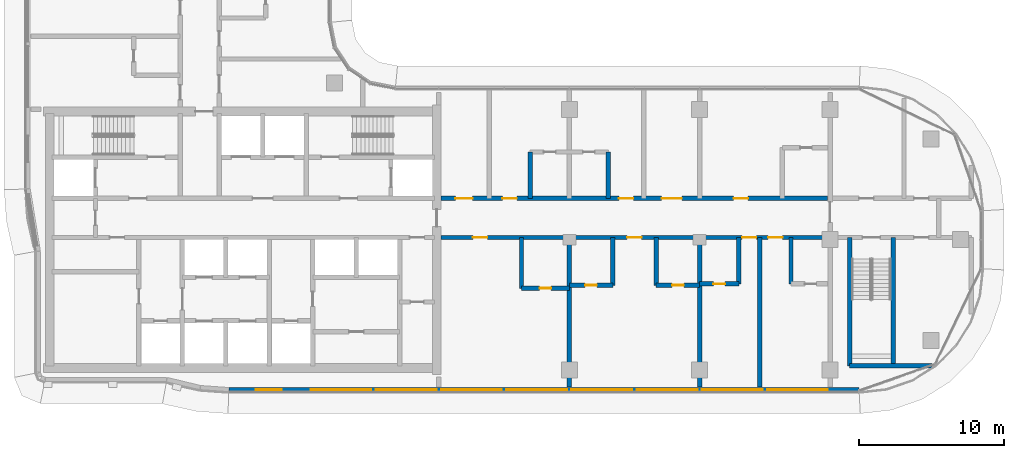
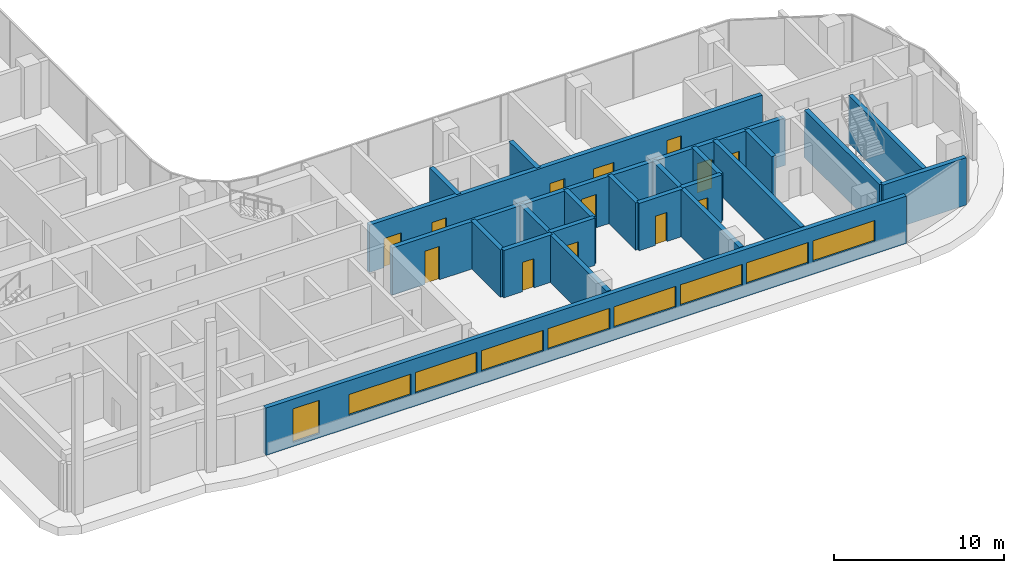
# One storey, part 11 of 24: 20 walls, 13 doors, 9 windows, 22 openings.
"""IFC4 building model written with IfcOpenShell, lengths in metres."""

from ifc_helpers import new_model, si_unit, direction, frame, frame_2d, origin, place, context, subcontext, project, spatial, rectangle, extrude, material, layer, layer_set, type_object, element, fill, save


model = new_model("IFC4")

# Units and contexts
model_context = context("Model", 3, precision=1e-05, world=origin(), true_north=direction((0.0, 1.0)))
body_context = subcontext(model_context, "Body", "Model", "MODEL_VIEW")
ifc_project = project(units=[si_unit("LENGTHUNIT", "METRE"), si_unit("AREAUNIT", "SQUARE_METRE"), si_unit("VOLUMEUNIT", "CUBIC_METRE"), si_unit("PLANEANGLEUNIT", "RADIAN"), si_unit("MASSUNIT", "GRAM", prefix="KILO")], contexts=[model_context])

# Site, building, storey
site_placement = place(None, origin())
site = spatial("IfcSite", under=ifc_project, at=site_placement, CompositionType="ELEMENT")
building_placement = place(site_placement, origin())
building = spatial("IfcBuilding", under=site, at=building_placement, Name="Ogive Portal Towers", CompositionType="ELEMENT")
storey_placement = place(building_placement, frame((0.0, 0.0, 142.199951171875)))
storey = spatial("IfcBuildingStorey", under=building, at=storey_placement, Name="L34", CompositionType="ELEMENT", Elevation=142.199951171875)

# Wall, openings, windows
ifc_material_1 = material(Name="Limestone cladding on lightweight block wall", Category="masonry")
ifc_layer_1 = layer(ifc_material_1, 0.300048828125)
ifc_layer_set_1 = layer_set([ifc_layer_1], Name="EXTERNAL WALL 300 STONE")
wall_type_1 = type_object("IfcWallType", Name="EXTERNAL WALL 300 STONE", PredefinedType="SOLIDWALL", material=ifc_layer_set_1)
wall_1_placement = place(storey_placement, frame((44.0107421875, 20.14990234375, 0.0), z_axis=(0.0, 0.0, 1.0), x_axis=(1.0, 0.0, 0.0)))
wall_1 = element("IfcWall", 1, at=wall_1_placement, inside=storey, type_object=wall_type_1, Name="A:L34:f06:r0:wall", PredefinedType="SOLIDWALL", context=body_context, shape_type="SweptSolid", body=[
    extrude(rectangle(XDim=43.4755859375, YDim=0.300048828125, at=frame_2d((21.73779296875, 0.0))), origin(), (0.0, 0.0, 1.0), 3.400146484375),
])
opening_1_placement = place(wall_1_placement, frame((1.8447265625, 0.0, 0.300048828125)))
opening_1 = element("IfcOpeningElement", 2, at=opening_1_placement, cuts=wall_1, Name="Opening WN10", PredefinedType="OPENING", context=body_context, shape_type="SweptSolid", body=[
    extrude(rectangle(XDim=1.800048828125, YDim=2.39990234375, at=frame_2d((0.89990234375, 1.199951171875))), frame((0.0, 0.16015625, 0.0), z_axis=(0.0, -1.0, 0.0), x_axis=(1.0, 0.0, 0.0)), (0.0, 0.0, 1.0), 0.320068359375),
])
opening_2_placement = place(wall_1_placement, frame((5.639404296875, 0.0, 0.89990234375)))
opening_2 = element("IfcOpeningElement", 3, at=opening_2_placement, cuts=wall_1, Name="Opening WN11", PredefinedType="OPENING", context=body_context, shape_type="SweptSolid", body=[
    extrude(rectangle(XDim=4.199951171875, YDim=1.5, at=frame_2d((2.10009765625, 0.75))), frame((0.0, 0.16015625, 0.0), z_axis=(0.0, -1.0, 0.0), x_axis=(1.0, 0.0, 0.0)), (0.0, 0.0, 1.0), 0.320068359375),
])
opening_3_placement = place(wall_1_placement, frame((10.139404296875, 0.0, 0.89990234375)))
opening_3 = element("IfcOpeningElement", 4, at=opening_3_placement, cuts=wall_1, Name="Opening WN11", PredefinedType="OPENING", context=body_context, shape_type="SweptSolid", body=[
    extrude(rectangle(XDim=4.199951171875, YDim=1.5, at=frame_2d((2.10009765625, 0.75))), frame((0.0, 0.16015625, 0.0), z_axis=(0.0, -1.0, 0.0), x_axis=(1.0, 0.0, 0.0)), (0.0, 0.0, 1.0), 0.320068359375),
])
opening_4_placement = place(wall_1_placement, frame((14.639404296875, 0.0, 0.89990234375)))
opening_4 = element("IfcOpeningElement", 5, at=opening_4_placement, cuts=wall_1, Name="Opening WN11", PredefinedType="OPENING", context=body_context, shape_type="SweptSolid", body=[
    extrude(rectangle(XDim=4.199951171875, YDim=1.5, at=frame_2d((2.10009765625, 0.75))), frame((0.0, 0.16015625, 0.0), z_axis=(0.0, -1.0, 0.0), x_axis=(1.0, 0.0, 0.0)), (0.0, 0.0, 1.0), 0.320068359375),
])
opening_5_placement = place(wall_1_placement, frame((19.139404296875, 0.0, 0.89990234375)))
opening_5 = element("IfcOpeningElement", 6, at=opening_5_placement, cuts=wall_1, Name="Opening WN11", PredefinedType="OPENING", context=body_context, shape_type="SweptSolid", body=[
    extrude(rectangle(XDim=4.199951171875, YDim=1.5, at=frame_2d((2.10009765625, 0.75))), frame((0.0, 0.16015625, 0.0), z_axis=(0.0, -1.0, 0.0), x_axis=(1.0, 0.0, 0.0)), (0.0, 0.0, 1.0), 0.320068359375),
])
opening_6_placement = place(wall_1_placement, frame((23.639404296875, 0.0, 0.89990234375)))
opening_6 = element("IfcOpeningElement", 7, at=opening_6_placement, cuts=wall_1, Name="Opening WN11", PredefinedType="OPENING", context=body_context, shape_type="SweptSolid", body=[
    extrude(rectangle(XDim=4.199951171875, YDim=1.5, at=frame_2d((2.10009765625, 0.75))), frame((0.0, 0.16015625, 0.0), z_axis=(0.0, -1.0, 0.0), x_axis=(1.0, 0.0, 0.0)), (0.0, 0.0, 1.0), 0.320068359375),
])
opening_7_placement = place(wall_1_placement, frame((28.139404296875, 0.0, 0.89990234375)))
opening_7 = element("IfcOpeningElement", 8, at=opening_7_placement, cuts=wall_1, Name="Opening WN11", PredefinedType="OPENING", context=body_context, shape_type="SweptSolid", body=[
    extrude(rectangle(XDim=4.199951171875, YDim=1.5, at=frame_2d((2.10009765625, 0.75))), frame((0.0, 0.16015625, 0.0), z_axis=(0.0, -1.0, 0.0), x_axis=(1.0, 0.0, 0.0)), (0.0, 0.0, 1.0), 0.320068359375),
])
opening_8_placement = place(wall_1_placement, frame((32.639404296875, 0.0, 0.89990234375)))
opening_8 = element("IfcOpeningElement", 9, at=opening_8_placement, cuts=wall_1, Name="Opening WN11", PredefinedType="OPENING", context=body_context, shape_type="SweptSolid", body=[
    extrude(rectangle(XDim=4.199951171875, YDim=1.5, at=frame_2d((2.10009765625, 0.75))), frame((0.0, 0.16015625, 0.0), z_axis=(0.0, -1.0, 0.0), x_axis=(1.0, 0.0, 0.0)), (0.0, 0.0, 1.0), 0.320068359375),
])
opening_9_placement = place(wall_1_placement, frame((37.139404296875, 0.0, 0.89990234375)))
opening_9 = element("IfcOpeningElement", 10, at=opening_9_placement, cuts=wall_1, Name="Opening WN11", PredefinedType="OPENING", context=body_context, shape_type="SweptSolid", body=[
    extrude(rectangle(XDim=4.199951171875, YDim=1.5, at=frame_2d((2.10009765625, 0.75))), frame((0.0, 0.16015625, 0.0), z_axis=(0.0, -1.0, 0.0), x_axis=(1.0, 0.0, 0.0)), (0.0, 0.0, 1.0), 0.320068359375),
])
ifc_material_2 = material(Name="Glass, clear low-iron insulated glazing", Category="glass")
window_type_1 = type_object("IfcWindowType", Name="WINDOW RIBBON 4200x1500", PartitioningType="TRIPLE_PANEL_VERTICAL", PredefinedType="WINDOW", material=ifc_material_2)
window_1_placement = place(opening_2_placement, origin())
window_1 = element("IfcWindow", 11, at=window_1_placement, inside=storey, type_object=window_type_1, Name="A:L34:f06:r0:w1", OverallHeight=1.5, OverallWidth=4.199951171875, PartitioningType="SINGLE_PANEL", PredefinedType="WINDOW", context=body_context, shape_type="SweptSolid", body=[
    extrude(rectangle(XDim=4.199951171875, YDim=1.5, at=frame_2d((2.10009765625, 0.75))), frame((0.0, 0.030029296875, 0.0), z_axis=(0.0, -1.0, 0.0), x_axis=(1.0, 0.0, 0.0)), (0.0, 0.0, 1.0), 0.06005859375),
])
fill(opening_2, window_1)
window_2_placement = place(opening_3_placement, origin())
window_2 = element("IfcWindow", 12, at=window_2_placement, inside=storey, type_object=window_type_1, Name="A:L34:f06:r0:w2", OverallHeight=1.5, OverallWidth=4.199951171875, PartitioningType="SINGLE_PANEL", PredefinedType="WINDOW", context=body_context, shape_type="SweptSolid", body=[
    extrude(rectangle(XDim=4.199951171875, YDim=1.5, at=frame_2d((2.10009765625, 0.75))), frame((0.0, 0.030029296875, 0.0), z_axis=(0.0, -1.0, 0.0), x_axis=(1.0, 0.0, 0.0)), (0.0, 0.0, 1.0), 0.06005859375),
])
fill(opening_3, window_2)
window_3_placement = place(opening_4_placement, origin())
window_3 = element("IfcWindow", 13, at=window_3_placement, inside=storey, type_object=window_type_1, Name="A:L34:f06:r0:w3", OverallHeight=1.5, OverallWidth=4.199951171875, PartitioningType="SINGLE_PANEL", PredefinedType="WINDOW", context=body_context, shape_type="SweptSolid", body=[
    extrude(rectangle(XDim=4.199951171875, YDim=1.5, at=frame_2d((2.10009765625, 0.75))), frame((0.0, 0.030029296875, 0.0), z_axis=(0.0, -1.0, 0.0), x_axis=(1.0, 0.0, 0.0)), (0.0, 0.0, 1.0), 0.06005859375),
])
fill(opening_4, window_3)
window_4_placement = place(opening_5_placement, origin())
window_4 = element("IfcWindow", 14, at=window_4_placement, inside=storey, type_object=window_type_1, Name="A:L34:f06:r0:w4", OverallHeight=1.5, OverallWidth=4.199951171875, PartitioningType="SINGLE_PANEL", PredefinedType="WINDOW", context=body_context, shape_type="SweptSolid", body=[
    extrude(rectangle(XDim=4.199951171875, YDim=1.5, at=frame_2d((2.10009765625, 0.75))), frame((0.0, 0.030029296875, 0.0), z_axis=(0.0, -1.0, 0.0), x_axis=(1.0, 0.0, 0.0)), (0.0, 0.0, 1.0), 0.06005859375),
])
fill(opening_5, window_4)
window_5_placement = place(opening_6_placement, origin())
window_5 = element("IfcWindow", 15, at=window_5_placement, inside=storey, type_object=window_type_1, Name="A:L34:f06:r0:w5", OverallHeight=1.5, OverallWidth=4.199951171875, PartitioningType="SINGLE_PANEL", PredefinedType="WINDOW", context=body_context, shape_type="SweptSolid", body=[
    extrude(rectangle(XDim=4.199951171875, YDim=1.5, at=frame_2d((2.10009765625, 0.75))), frame((0.0, 0.030029296875, 0.0), z_axis=(0.0, -1.0, 0.0), x_axis=(1.0, 0.0, 0.0)), (0.0, 0.0, 1.0), 0.06005859375),
])
fill(opening_6, window_5)
window_6_placement = place(opening_7_placement, origin())
window_6 = element("IfcWindow", 16, at=window_6_placement, inside=storey, type_object=window_type_1, Name="A:L34:f06:r0:w6", OverallHeight=1.5, OverallWidth=4.199951171875, PartitioningType="SINGLE_PANEL", PredefinedType="WINDOW", context=body_context, shape_type="SweptSolid", body=[
    extrude(rectangle(XDim=4.199951171875, YDim=1.5, at=frame_2d((2.10009765625, 0.75))), frame((0.0, 0.030029296875, 0.0), z_axis=(0.0, -1.0, 0.0), x_axis=(1.0, 0.0, 0.0)), (0.0, 0.0, 1.0), 0.06005859375),
])
fill(opening_7, window_6)
window_7_placement = place(opening_8_placement, origin())
window_7 = element("IfcWindow", 17, at=window_7_placement, inside=storey, type_object=window_type_1, Name="A:L34:f06:r0:w7", OverallHeight=1.5, OverallWidth=4.199951171875, PartitioningType="SINGLE_PANEL", PredefinedType="WINDOW", context=body_context, shape_type="SweptSolid", body=[
    extrude(rectangle(XDim=4.199951171875, YDim=1.5, at=frame_2d((2.10009765625, 0.75))), frame((0.0, 0.030029296875, 0.0), z_axis=(0.0, -1.0, 0.0), x_axis=(1.0, 0.0, 0.0)), (0.0, 0.0, 1.0), 0.06005859375),
])
fill(opening_8, window_7)
window_8_placement = place(opening_9_placement, origin())
window_8 = element("IfcWindow", 18, at=window_8_placement, inside=storey, type_object=window_type_1, Name="A:L34:f06:r0:w8", OverallHeight=1.5, OverallWidth=4.199951171875, PartitioningType="SINGLE_PANEL", PredefinedType="WINDOW", context=body_context, shape_type="SweptSolid", body=[
    extrude(rectangle(XDim=4.199951171875, YDim=1.5, at=frame_2d((2.10009765625, 0.75))), frame((0.0, 0.030029296875, 0.0), z_axis=(0.0, -1.0, 0.0), x_axis=(1.0, 0.0, 0.0)), (0.0, 0.0, 1.0), 0.06005859375),
])
fill(opening_9, window_8)
window_type_2 = type_object("IfcWindowType", Name="WINDOW SUITE CORNER 1800x2400", PartitioningType="DOUBLE_PANEL_VERTICAL", PredefinedType="WINDOW", material=ifc_material_2)
window_9_placement = place(opening_1_placement, origin())
window_9 = element("IfcWindow", 19, at=window_9_placement, inside=storey, type_object=window_type_2, Name="A:L34:f06:r0:w0", OverallHeight=2.39990234375, OverallWidth=1.800048828125, PartitioningType="SINGLE_PANEL", PredefinedType="WINDOW", context=body_context, shape_type="SweptSolid", body=[
    extrude(rectangle(XDim=1.800048828125, YDim=2.39990234375, at=frame_2d((0.89990234375, 1.199951171875))), frame((0.0, 0.030029296875, 0.0), z_axis=(0.0, -1.0, 0.0), x_axis=(1.0, 0.0, 0.0)), (0.0, 0.0, 1.0), 0.06005859375),
])
fill(opening_1, window_9)

# Walls
ifc_material_3 = material(Name="Concrete C50/60", Category="concrete")
ifc_layer_2 = layer(ifc_material_3, 0.300048828125)
ifc_layer_set_2 = layer_set([ifc_layer_2], Name="STAIR WALL 300 C50")
wall_type_2 = type_object("IfcWallType", Name="STAIR WALL 300 C50", PredefinedType="SHEAR", material=ifc_layer_set_2)
wall_2_placement = place(storey_placement, frame((86.85009765625, 21.800048828125, 0.0), z_axis=(0.0, 0.0, 1.0), x_axis=(1.0, 0.0, 0.0)))
element("IfcWall", 20, at=wall_2_placement, inside=storey, type_object=wall_type_2, Name="Stair wall ST-A4 L34", PredefinedType="SHEAR", context=body_context, shape_type="SweptSolid", body=[
    extrude(rectangle(XDim=5.664794921875, YDim=0.300048828125, at=frame_2d((2.83251953125, 0.0))), origin(), (0.0, 0.0, 1.0), 3.400146484375),
])
for number, where, z_axis, x_axis, name in (
    (21, (86.85009765625, 21.800048828125, 0.0), (0.0, 0.0, 1.0), (0.0, 1.0, 0.0), "Stair wall ST-A4 L34"),
    (22, (89.85009765625, 21.800048828125, 0.0), (0.0, 0.0, 1.0), (0.0, 1.0, 0.0), "Stair wall ST-A4 L34"),
):
    element("IfcWall", number, at=place(storey_placement, frame(where, z_axis=z_axis, x_axis=x_axis)), inside=storey, type_object=wall_type_2, Name=name, PredefinedType="SHEAR", context=body_context, shape_type="SweptSolid", body=[
        extrude(rectangle(XDim=8.849853515625, YDim=0.300048828125, at=frame_2d((4.4248046875, 0.0))), origin(), (0.0, 0.0, 1.0), 3.400146484375),
    ])

# Wall, openings, doors
ifc_material_4 = material(Name="Gypsum board partition on steel studs", Category="steel")
ifc_layer_3 = layer(ifc_material_4, 0.300048828125)
ifc_layer_set_3 = layer_set([ifc_layer_3], Name="WT-PART-300-EI 120")
wall_type_3 = type_object("IfcWallType", Name="WT-PART-300-EI 120", PredefinedType="PARTITIONING", material=ifc_layer_set_3)
wall_3_placement = place(storey_placement, frame((58.64990234375, 30.64990234375, 0.0), z_axis=(0.0, 0.0, 1.0), x_axis=(1.0, 0.0, 0.0)))
wall_3 = element("IfcWall", 23, at=wall_3_placement, inside=storey, type_object=wall_type_3, Name="Wall L34:w007", PredefinedType="PARTITIONING", context=body_context, shape_type="SweptSolid", body=[
    extrude(rectangle(XDim=26.68017578125, YDim=0.300048828125, at=frame_2d((13.340087890625, 0.0))), origin(), (0.0, 0.0, 1.0), 3.400146484375),
])
opening_10_placement = place(wall_3_placement, frame((2.199951171875, 0.0, 0.0)))
opening_10 = element("IfcOpeningElement", 24, at=opening_10_placement, cuts=wall_3, Name="Opening D13-030", PredefinedType="OPENING", context=body_context, shape_type="SweptSolid", body=[
    extrude(rectangle(XDim=1.0, YDim=2.39990234375, at=frame_2d((0.5, 1.199951171875))), frame((0.0, 0.16015625, 0.0), z_axis=(0.0, -1.0, 0.0), x_axis=(1.0, 0.0, 0.0)), (0.0, 0.0, 1.0), 0.320068359375),
])
opening_11_placement = place(wall_3_placement, frame((12.85009765625, 0.0, 0.0)))
opening_11 = element("IfcOpeningElement", 25, at=opening_11_placement, cuts=wall_3, Name="Opening D13-036", PredefinedType="OPENING", context=body_context, shape_type="SweptSolid", body=[
    extrude(rectangle(XDim=1.0, YDim=2.39990234375, at=frame_2d((0.5, 1.199951171875))), frame((0.0, 0.16015625, 0.0), z_axis=(0.0, -1.0, 0.0), x_axis=(1.0, 0.0, 0.0)), (0.0, 0.0, 1.0), 0.320068359375),
])
opening_12_placement = place(wall_3_placement, frame((20.77001953125, 0.0, 0.0)))
opening_12 = element("IfcOpeningElement", 26, at=opening_12_placement, cuts=wall_3, Name="Opening D13-040", PredefinedType="OPENING", context=body_context, shape_type="SweptSolid", body=[
    extrude(rectangle(XDim=1.0, YDim=2.10009765625, at=frame_2d((0.5, 1.050048828125))), frame((0.0, 0.16015625, 0.0), z_axis=(0.0, -1.0, 0.0), x_axis=(1.0, 0.0, 0.0)), (0.0, 0.0, 1.0), 0.320068359375),
])
opening_13_placement = place(wall_3_placement, frame((22.570068359375, 0.0, 0.0)))
opening_13 = element("IfcOpeningElement", 27, at=opening_13_placement, cuts=wall_3, Name="Opening D13-042", PredefinedType="OPENING", context=body_context, shape_type="SweptSolid", body=[
    extrude(rectangle(XDim=1.0, YDim=2.10009765625, at=frame_2d((0.5, 1.050048828125))), frame((0.0, 0.16015625, 0.0), z_axis=(0.0, -1.0, 0.0), x_axis=(1.0, 0.0, 0.0)), (0.0, 0.0, 1.0), 0.320068359375),
])
ifc_material_5 = material(Name="Steel fire door", Category="steel")
door_type_1 = type_object("IfcDoorType", Name="DT-ENTRY-1000x2100-FD90S", OperationType="SINGLE_SWING_LEFT", PredefinedType="DOOR", material=ifc_material_5)
door_1_placement = place(opening_12_placement, origin())
door_1 = element("IfcDoor", 28, at=door_1_placement, inside=storey, type_object=door_type_1, Name="Door D13-040", OperationType="SINGLE_SWING_LEFT", OverallHeight=2.10009765625, OverallWidth=1.0, PredefinedType="DOOR", context=body_context, shape_type="SweptSolid", body=[
    extrude(rectangle(XDim=1.0, YDim=2.10009765625, at=frame_2d((0.5, 1.050048828125))), frame((0.0, 0.02490234375, 0.0), z_axis=(0.0, -1.0, 0.0), x_axis=(1.0, 0.0, 0.0)), (0.0, 0.0, 1.0), 0.050048828125),
])
fill(opening_12, door_1)
door_2_placement = place(opening_13_placement, origin())
door_2 = element("IfcDoor", 29, at=door_2_placement, inside=storey, type_object=door_type_1, Name="Door D13-042", OperationType="SINGLE_SWING_LEFT", OverallHeight=2.10009765625, OverallWidth=1.0, PredefinedType="DOOR", context=body_context, shape_type="SweptSolid", body=[
    extrude(rectangle(XDim=1.0, YDim=2.10009765625, at=frame_2d((0.5, 1.050048828125))), frame((0.0, 0.02490234375, 0.0), z_axis=(0.0, -1.0, 0.0), x_axis=(1.0, 0.0, 0.0)), (0.0, 0.0, 1.0), 0.050048828125),
])
fill(opening_13, door_2)
door_type_2 = type_object("IfcDoorType", Name="DT-ENTRY-1000x2400-FD90S", OperationType="SINGLE_SWING_LEFT", PredefinedType="DOOR", material=ifc_material_5)
door_3_placement = place(opening_10_placement, origin())
door_3 = element("IfcDoor", 30, at=door_3_placement, inside=storey, type_object=door_type_2, Name="Door D13-030", OperationType="SINGLE_SWING_LEFT", OverallHeight=2.39990234375, OverallWidth=1.0, PredefinedType="DOOR", context=body_context, shape_type="SweptSolid", body=[
    extrude(rectangle(XDim=1.0, YDim=2.39990234375, at=frame_2d((0.5, 1.199951171875))), frame((0.0, 0.02490234375, 0.0), z_axis=(0.0, -1.0, 0.0), x_axis=(1.0, 0.0, 0.0)), (0.0, 0.0, 1.0), 0.050048828125),
])
fill(opening_10, door_3)
door_4_placement = place(opening_11_placement, origin())
door_4 = element("IfcDoor", 31, at=door_4_placement, inside=storey, type_object=door_type_2, Name="Door D13-036", OperationType="SINGLE_SWING_RIGHT", OverallHeight=2.39990234375, OverallWidth=1.0, PredefinedType="DOOR", context=body_context, shape_type="SweptSolid", body=[
    extrude(rectangle(XDim=1.0, YDim=2.39990234375, at=frame_2d((0.5, 1.199951171875))), frame((0.0, 0.02490234375, 0.0), z_axis=(0.0, -1.0, 0.0), x_axis=(1.0, 0.0, 0.0)), (0.0, 0.0, 1.0), 0.050048828125),
])
fill(opening_11, door_4)

wall_4_placement = place(storey_placement, frame((58.64990234375, 33.35009765625, 0.0), z_axis=(0.0, 0.0, 1.0), x_axis=(1.0, 0.0, 0.0)))
wall_4 = element("IfcWall", 32, at=wall_4_placement, inside=storey, type_object=wall_type_3, Name="Wall L34:w009", PredefinedType="PARTITIONING", context=body_context, shape_type="SweptSolid", body=[
    extrude(rectangle(XDim=26.68017578125, YDim=0.300048828125, at=frame_2d((13.340087890625, 0.0))), origin(), (0.0, 0.0, 1.0), 3.400146484375),
])
opening_14_placement = place(wall_4_placement, frame((0.985107421875, 0.0, 0.0)))
opening_14 = element("IfcOpeningElement", 33, at=opening_14_placement, cuts=wall_4, Name="Opening D13-026", PredefinedType="OPENING", context=body_context, shape_type="SweptSolid", body=[
    extrude(rectangle(XDim=1.199951171875, YDim=2.10009765625, at=frame_2d((0.60009765625, 1.050048828125))), frame((0.0, 0.16015625, 0.0), z_axis=(0.0, -1.0, 0.0), x_axis=(1.0, 0.0, 0.0)), (0.0, 0.0, 1.0), 0.320068359375),
])
opening_15_placement = place(wall_4_placement, frame((4.235107421875, 0.0, 0.0)))
opening_15 = element("IfcOpeningElement", 34, at=opening_15_placement, cuts=wall_4, Name="Opening D13-028", PredefinedType="OPENING", context=body_context, shape_type="SweptSolid", body=[
    extrude(rectangle(XDim=1.0, YDim=2.10009765625, at=frame_2d((0.5, 1.050048828125))), frame((0.0, 0.16015625, 0.0), z_axis=(0.0, -1.0, 0.0), x_axis=(1.0, 0.0, 0.0)), (0.0, 0.0, 1.0), 0.320068359375),
])
opening_16_placement = place(wall_4_placement, frame((12.264892578125, 0.0, 0.0)))
opening_16 = element("IfcOpeningElement", 35, at=opening_16_placement, cuts=wall_4, Name="Opening D13-032", PredefinedType="OPENING", context=body_context, shape_type="SweptSolid", body=[
    extrude(rectangle(XDim=1.0, YDim=2.10009765625, at=frame_2d((0.5, 1.050048828125))), frame((0.0, 0.16015625, 0.0), z_axis=(0.0, -1.0, 0.0), x_axis=(1.0, 0.0, 0.0)), (0.0, 0.0, 1.0), 0.320068359375),
])
opening_17_placement = place(wall_4_placement, frame((15.215087890625, 0.0, 0.0)))
opening_17 = element("IfcOpeningElement", 36, at=opening_17_placement, cuts=wall_4, Name="Opening D13-033", PredefinedType="OPENING", context=body_context, shape_type="SweptSolid", body=[
    extrude(rectangle(XDim=1.39990234375, YDim=2.10009765625, at=frame_2d((0.699951171875, 1.050048828125))), frame((0.0, 0.16015625, 0.0), z_axis=(0.0, -1.0, 0.0), x_axis=(1.0, 0.0, 0.0)), (0.0, 0.0, 1.0), 0.320068359375),
])
opening_18_placement = place(wall_4_placement, frame((20.199951171875, 0.0, 0.0)))
opening_18 = element("IfcOpeningElement", 37, at=opening_18_placement, cuts=wall_4, Name="Opening D13-038", PredefinedType="OPENING", context=body_context, shape_type="SweptSolid", body=[
    extrude(rectangle(XDim=1.0, YDim=2.39990234375, at=frame_2d((0.5, 1.199951171875))), frame((0.0, 0.16015625, 0.0), z_axis=(0.0, -1.0, 0.0), x_axis=(1.0, 0.0, 0.0)), (0.0, 0.0, 1.0), 0.320068359375),
])
door_5_placement = place(opening_15_placement, origin())
door_5 = element("IfcDoor", 38, at=door_5_placement, inside=storey, type_object=door_type_1, Name="Door D13-028", OperationType="SINGLE_SWING_LEFT", OverallHeight=2.10009765625, OverallWidth=1.0, PredefinedType="DOOR", context=body_context, shape_type="SweptSolid", body=[
    extrude(rectangle(XDim=1.0, YDim=2.10009765625, at=frame_2d((0.5, 1.050048828125))), frame((0.0, 0.02490234375, 0.0), z_axis=(0.0, -1.0, 0.0), x_axis=(1.0, 0.0, 0.0)), (0.0, 0.0, 1.0), 0.050048828125),
])
fill(opening_15, door_5)
door_6_placement = place(opening_16_placement, origin())
door_6 = element("IfcDoor", 39, at=door_6_placement, inside=storey, type_object=door_type_1, Name="Door D13-032", OperationType="SINGLE_SWING_RIGHT", OverallHeight=2.10009765625, OverallWidth=1.0, PredefinedType="DOOR", context=body_context, shape_type="SweptSolid", body=[
    extrude(rectangle(XDim=1.0, YDim=2.10009765625, at=frame_2d((0.5, 1.050048828125))), frame((0.0, 0.02490234375, 0.0), z_axis=(0.0, -1.0, 0.0), x_axis=(1.0, 0.0, 0.0)), (0.0, 0.0, 1.0), 0.050048828125),
])
fill(opening_16, door_6)
door_7_placement = place(opening_18_placement, origin())
door_7 = element("IfcDoor", 40, at=door_7_placement, inside=storey, type_object=door_type_2, Name="Door D13-038", OperationType="SINGLE_SWING_RIGHT", OverallHeight=2.39990234375, OverallWidth=1.0, PredefinedType="DOOR", context=body_context, shape_type="SweptSolid", body=[
    extrude(rectangle(XDim=1.0, YDim=2.39990234375, at=frame_2d((0.5, 1.199951171875))), frame((0.0, 0.02490234375, 0.0), z_axis=(0.0, -1.0, 0.0), x_axis=(1.0, 0.0, 0.0)), (0.0, 0.0, 1.0), 0.050048828125),
])
fill(opening_18, door_7)
door_type_3 = type_object("IfcDoorType", Name="DT-ENTRY-1200x2100-FD90S", OperationType="SINGLE_SWING_LEFT", PredefinedType="DOOR", material=ifc_material_5)
door_8_placement = place(opening_14_placement, origin())
door_8 = element("IfcDoor", 41, at=door_8_placement, inside=storey, type_object=door_type_3, Name="Door D13-026", OperationType="SINGLE_SWING_LEFT", OverallHeight=2.10009765625, OverallWidth=1.199951171875, PredefinedType="DOOR", context=body_context, shape_type="SweptSolid", body=[
    extrude(rectangle(XDim=1.199951171875, YDim=2.10009765625, at=frame_2d((0.60009765625, 1.050048828125))), frame((0.0, 0.02490234375, 0.0), z_axis=(0.0, -1.0, 0.0), x_axis=(1.0, 0.0, 0.0)), (0.0, 0.0, 1.0), 0.050048828125),
])
fill(opening_14, door_8)
door_type_4 = type_object("IfcDoorType", Name="DT-ENTRY-1400x2100-FD90S", OperationType="SINGLE_SWING_LEFT", PredefinedType="DOOR", material=ifc_material_5)
door_9_placement = place(opening_17_placement, origin())
door_9 = element("IfcDoor", 42, at=door_9_placement, inside=storey, type_object=door_type_4, Name="Door D13-033", OperationType="SINGLE_SWING_LEFT", OverallHeight=2.10009765625, OverallWidth=1.39990234375, PredefinedType="DOOR", context=body_context, shape_type="SweptSolid", body=[
    extrude(rectangle(XDim=1.39990234375, YDim=2.10009765625, at=frame_2d((0.699951171875, 1.050048828125))), frame((0.0, 0.02490234375, 0.0), z_axis=(0.0, -1.0, 0.0), x_axis=(1.0, 0.0, 0.0)), (0.0, 0.0, 1.0), 0.050048828125),
])
fill(opening_17, door_9)

# Wall, opening, door
ifc_layer_4 = layer(ifc_material_4, 0.300048828125)
ifc_layer_set_4 = layer_set([ifc_layer_4], Name="WT-PART-300-EI 60")
wall_type_4 = type_object("IfcWallType", Name="WT-PART-300-EI 60", PredefinedType="PARTITIONING", material=ifc_layer_set_4)
wall_5_placement = place(storey_placement, frame((64.199951171875, 27.14990234375, 0.0), z_axis=(0.0, 0.0, 1.0), x_axis=(1.0, 0.0, 0.0)))
wall_5 = element("IfcWall", 43, at=wall_5_placement, inside=storey, type_object=wall_type_4, Name="Wall L34:w002", PredefinedType="PARTITIONING", context=body_context, shape_type="SweptSolid", body=[
    extrude(rectangle(XDim=3.300048828125, YDim=0.300048828125, at=frame_2d((1.64990234375, 0.0))), origin(), (0.0, 0.0, 1.0), 3.400146484375),
])
opening_19_placement = place(wall_5_placement, frame((1.25, 0.0, 0.0)))
opening_19 = element("IfcOpeningElement", 44, at=opening_19_placement, cuts=wall_5, Name="Opening D13-029", PredefinedType="OPENING", context=body_context, shape_type="SweptSolid", body=[
    extrude(rectangle(XDim=0.800048828125, YDim=2.10009765625, at=frame_2d((0.39990234375, 1.050048828125))), frame((0.0, 0.16015625, 0.0), z_axis=(0.0, -1.0, 0.0), x_axis=(1.0, 0.0, 0.0)), (0.0, 0.0, 1.0), 0.320068359375),
])
door_type_5 = type_object("IfcDoorType", Name="DT-BATH-800x2100-FD60S", OperationType="SINGLE_SWING_LEFT", PredefinedType="DOOR", material=ifc_material_5)
door_10_placement = place(opening_19_placement, origin())
door_10 = element("IfcDoor", 45, at=door_10_placement, inside=storey, type_object=door_type_5, Name="Door D13-029", OperationType="SINGLE_SWING_LEFT", OverallHeight=2.10009765625, OverallWidth=0.800048828125, PredefinedType="DOOR", context=body_context, shape_type="SweptSolid", body=[
    extrude(rectangle(XDim=0.800048828125, YDim=2.10009765625, at=frame_2d((0.39990234375, 1.050048828125))), frame((0.0, 0.02490234375, 0.0), z_axis=(0.0, -1.0, 0.0), x_axis=(1.0, 0.0, 0.0)), (0.0, 0.0, 1.0), 0.050048828125),
])
fill(opening_19, door_10)

wall_6_placement = place(storey_placement, frame((67.5, 27.35009765625, 0.0), z_axis=(0.0, 0.0, 1.0), x_axis=(1.0, 0.0, 0.0)))
wall_6 = element("IfcWall", 46, at=wall_6_placement, inside=storey, type_object=wall_type_4, Name="Wall L34:w003", PredefinedType="PARTITIONING", context=body_context, shape_type="SweptSolid", body=[
    extrude(rectangle(XDim=3.0, YDim=0.300048828125, at=frame_2d((1.5, 0.0))), origin(), (0.0, 0.0, 1.0), 3.400146484375),
])
opening_20_placement = place(wall_6_placement, frame((1.10009765625, 0.0, 0.0)))
opening_20 = element("IfcOpeningElement", 47, at=opening_20_placement, cuts=wall_6, Name="Opening D13-034", PredefinedType="OPENING", context=body_context, shape_type="SweptSolid", body=[
    extrude(rectangle(XDim=0.800048828125, YDim=2.10009765625, at=frame_2d((0.39990234375, 1.050048828125))), frame((0.0, 0.16015625, 0.0), z_axis=(0.0, -1.0, 0.0), x_axis=(1.0, 0.0, 0.0)), (0.0, 0.0, 1.0), 0.320068359375),
])
door_11_placement = place(opening_20_placement, origin())
door_11 = element("IfcDoor", 48, at=door_11_placement, inside=storey, type_object=door_type_5, Name="Door D13-034", OperationType="SINGLE_SWING_LEFT", OverallHeight=2.10009765625, OverallWidth=0.800048828125, PredefinedType="DOOR", context=body_context, shape_type="SweptSolid", body=[
    extrude(rectangle(XDim=0.800048828125, YDim=2.10009765625, at=frame_2d((0.39990234375, 1.050048828125))), frame((0.0, 0.02490234375, 0.0), z_axis=(0.0, -1.0, 0.0), x_axis=(1.0, 0.0, 0.0)), (0.0, 0.0, 1.0), 0.050048828125),
])
fill(opening_20, door_11)

wall_7_placement = place(storey_placement, frame((73.5, 27.35009765625, 0.0), z_axis=(0.0, 0.0, 1.0), x_axis=(1.0, 0.0, 0.0)))
wall_7 = element("IfcWall", 49, at=wall_7_placement, inside=storey, type_object=wall_type_4, Name="Wall L34:w004", PredefinedType="PARTITIONING", context=body_context, shape_type="SweptSolid", body=[
    extrude(rectangle(XDim=3.0, YDim=0.300048828125, at=frame_2d((1.5, 0.0))), origin(), (0.0, 0.0, 1.0), 3.400146484375),
])
opening_21_placement = place(wall_7_placement, frame((1.10009765625, 0.0, 0.0)))
opening_21 = element("IfcOpeningElement", 50, at=opening_21_placement, cuts=wall_7, Name="Opening D13-035", PredefinedType="OPENING", context=body_context, shape_type="SweptSolid", body=[
    extrude(rectangle(XDim=0.800048828125, YDim=2.10009765625, at=frame_2d((0.39990234375, 1.050048828125))), frame((0.0, 0.16015625, 0.0), z_axis=(0.0, -1.0, 0.0), x_axis=(1.0, 0.0, 0.0)), (0.0, 0.0, 1.0), 0.320068359375),
])
door_12_placement = place(opening_21_placement, origin())
door_12 = element("IfcDoor", 51, at=door_12_placement, inside=storey, type_object=door_type_5, Name="Door D13-035", OperationType="SINGLE_SWING_LEFT", OverallHeight=2.10009765625, OverallWidth=0.800048828125, PredefinedType="DOOR", context=body_context, shape_type="SweptSolid", body=[
    extrude(rectangle(XDim=0.800048828125, YDim=2.10009765625, at=frame_2d((0.39990234375, 1.050048828125))), frame((0.0, 0.02490234375, 0.0), z_axis=(0.0, -1.0, 0.0), x_axis=(1.0, 0.0, 0.0)), (0.0, 0.0, 1.0), 0.050048828125),
])
fill(opening_21, door_12)

wall_8_placement = place(storey_placement, frame((76.5, 27.449951171875, 0.0), z_axis=(0.0, 0.0, 1.0), x_axis=(1.0, 0.0, 0.0)))
wall_8 = element("IfcWall", 52, at=wall_8_placement, inside=storey, type_object=wall_type_4, Name="Wall L34:w005", PredefinedType="PARTITIONING", context=body_context, shape_type="SweptSolid", body=[
    extrude(rectangle(XDim=2.699951171875, YDim=0.300048828125, at=frame_2d((1.35009765625, 0.0))), origin(), (0.0, 0.0, 1.0), 3.400146484375),
])
opening_22_placement = place(wall_8_placement, frame((0.949951171875, 0.0, 0.0)))
opening_22 = element("IfcOpeningElement", 53, at=opening_22_placement, cuts=wall_8, Name="Opening D13-039", PredefinedType="OPENING", context=body_context, shape_type="SweptSolid", body=[
    extrude(rectangle(XDim=0.800048828125, YDim=2.10009765625, at=frame_2d((0.39990234375, 1.050048828125))), frame((0.0, 0.16015625, 0.0), z_axis=(0.0, -1.0, 0.0), x_axis=(1.0, 0.0, 0.0)), (0.0, 0.0, 1.0), 0.320068359375),
])
door_13_placement = place(opening_22_placement, origin())
door_13 = element("IfcDoor", 54, at=door_13_placement, inside=storey, type_object=door_type_5, Name="Door D13-039", OperationType="SINGLE_SWING_RIGHT", OverallHeight=2.10009765625, OverallWidth=0.800048828125, PredefinedType="DOOR", context=body_context, shape_type="SweptSolid", body=[
    extrude(rectangle(XDim=0.800048828125, YDim=2.10009765625, at=frame_2d((0.39990234375, 1.050048828125))), frame((0.0, 0.02490234375, 0.0), z_axis=(0.0, -1.0, 0.0), x_axis=(1.0, 0.0, 0.0)), (0.0, 0.0, 1.0), 0.050048828125),
])
fill(opening_22, door_13)

# Walls
wall_9_placement = place(storey_placement, frame((64.199951171875, 27.14990234375, 0.0), z_axis=(0.0, 0.0, 1.0), x_axis=(0.0, 1.0, 0.0)))
element("IfcWall", 55, at=wall_9_placement, inside=storey, type_object=wall_type_4, Name="Wall L34:w045", PredefinedType="PARTITIONING", context=body_context, shape_type="SweptSolid", body=[
    extrude(rectangle(XDim=3.5, YDim=0.300048828125, at=frame_2d((1.75, 0.0))), origin(), (0.0, 0.0, 1.0), 3.400146484375),
])
wall_10_placement = place(storey_placement, frame((64.800048828125, 33.35009765625, 0.0), z_axis=(0.0, 0.0, 1.0), x_axis=(0.0, 1.0, 0.0)))
element("IfcWall", 56, at=wall_10_placement, inside=storey, type_object=wall_type_4, Name="Wall L34:w046", PredefinedType="PARTITIONING", context=body_context, shape_type="SweptSolid", body=[
    extrude(rectangle(XDim=3.199951171875, YDim=0.300048828125, at=frame_2d((1.60009765625, 0.0))), origin(), (0.0, 0.0, 1.0), 3.400146484375),
])
wall_11_placement = place(storey_placement, frame((67.5, 20.35009765625, 0.0), z_axis=(0.0, 0.0, 1.0), x_axis=(0.0, 1.0, 0.0)))
element("IfcWall", 57, at=wall_11_placement, inside=storey, type_object=wall_type_4, Name="Wall L34:w047", PredefinedType="PARTITIONING", context=body_context, shape_type="SweptSolid", body=[
    extrude(rectangle(XDim=10.2998046875, YDim=0.300048828125, at=frame_2d((5.14990234375, 0.0))), origin(), (0.0, 0.0, 1.0), 3.400146484375),
])
wall_12_placement = place(storey_placement, frame((70.199951171875, 33.35009765625, 0.0), z_axis=(0.0, 0.0, 1.0), x_axis=(0.0, 1.0, 0.0)))
element("IfcWall", 58, at=wall_12_placement, inside=storey, type_object=wall_type_4, Name="Wall L34:w049", PredefinedType="PARTITIONING", context=body_context, shape_type="SweptSolid", body=[
    extrude(rectangle(XDim=3.199951171875, YDim=0.300048828125, at=frame_2d((1.60009765625, 0.0))), origin(), (0.0, 0.0, 1.0), 3.400146484375),
])
for number, where, z_axis, x_axis, name in (
    (59, (70.5, 27.35009765625, 0.0), (0.0, 0.0, 1.0), (0.0, 1.0, 0.0), "Wall L34:w050"),
    (60, (73.5, 27.35009765625, 0.0), (0.0, 0.0, 1.0), (0.0, 1.0, 0.0), "Wall L34:w052"),
):
    element("IfcWall", number, at=place(storey_placement, frame(where, z_axis=z_axis, x_axis=x_axis)), inside=storey, type_object=wall_type_4, Name=name, PredefinedType="PARTITIONING", context=body_context, shape_type="SweptSolid", body=[
        extrude(rectangle(XDim=3.2998046875, YDim=0.300048828125, at=frame_2d((1.64990234375, 0.0))), origin(), (0.0, 0.0, 1.0), 3.400146484375),
    ])
wall_13_placement = place(storey_placement, frame((76.5, 20.35009765625, 0.0), z_axis=(0.0, 0.0, 1.0), x_axis=(0.0, 1.0, 0.0)))
element("IfcWall", 61, at=wall_13_placement, inside=storey, type_object=wall_type_4, Name="Wall L34:w053", PredefinedType="PARTITIONING", context=body_context, shape_type="SweptSolid", body=[
    extrude(rectangle(XDim=10.2998046875, YDim=0.300048828125, at=frame_2d((5.14990234375, 0.0))), origin(), (0.0, 0.0, 1.0), 3.400146484375),
])
wall_14_placement = place(storey_placement, frame((79.199951171875, 27.449951171875, 0.0), z_axis=(0.0, 0.0, 1.0), x_axis=(0.0, 1.0, 0.0)))
element("IfcWall", 62, at=wall_14_placement, inside=storey, type_object=wall_type_4, Name="Wall L34:w055", PredefinedType="PARTITIONING", context=body_context, shape_type="SweptSolid", body=[
    extrude(rectangle(XDim=3.199951171875, YDim=0.300048828125, at=frame_2d((1.60009765625, 0.0))), origin(), (0.0, 0.0, 1.0), 3.400146484375),
])
wall_15_placement = place(storey_placement, frame((80.639892578125, 20.35009765625, 0.0), z_axis=(0.0, 0.0, 1.0), x_axis=(0.0, 1.0, 0.0)))
element("IfcWall", 63, at=wall_15_placement, inside=storey, type_object=wall_type_4, Name="Wall L34:w056", PredefinedType="PARTITIONING", context=body_context, shape_type="SweptSolid", body=[
    extrude(rectangle(XDim=10.2998046875, YDim=0.300048828125, at=frame_2d((5.14990234375, 0.0))), origin(), (0.0, 0.0, 1.0), 3.400146484375),
])
wall_16_placement = place(storey_placement, frame((82.800048828125, 27.449951171875, 0.0), z_axis=(0.0, 0.0, 1.0), x_axis=(0.0, 1.0, 0.0)))
element("IfcWall", 64, at=wall_16_placement, inside=storey, type_object=wall_type_4, Name="Wall L34:w058", PredefinedType="PARTITIONING", context=body_context, shape_type="SweptSolid", body=[
    extrude(rectangle(XDim=3.199951171875, YDim=0.300048828125, at=frame_2d((1.60009765625, 0.0))), origin(), (0.0, 0.0, 1.0), 3.400146484375),
])

save(model, "model.ifc")
